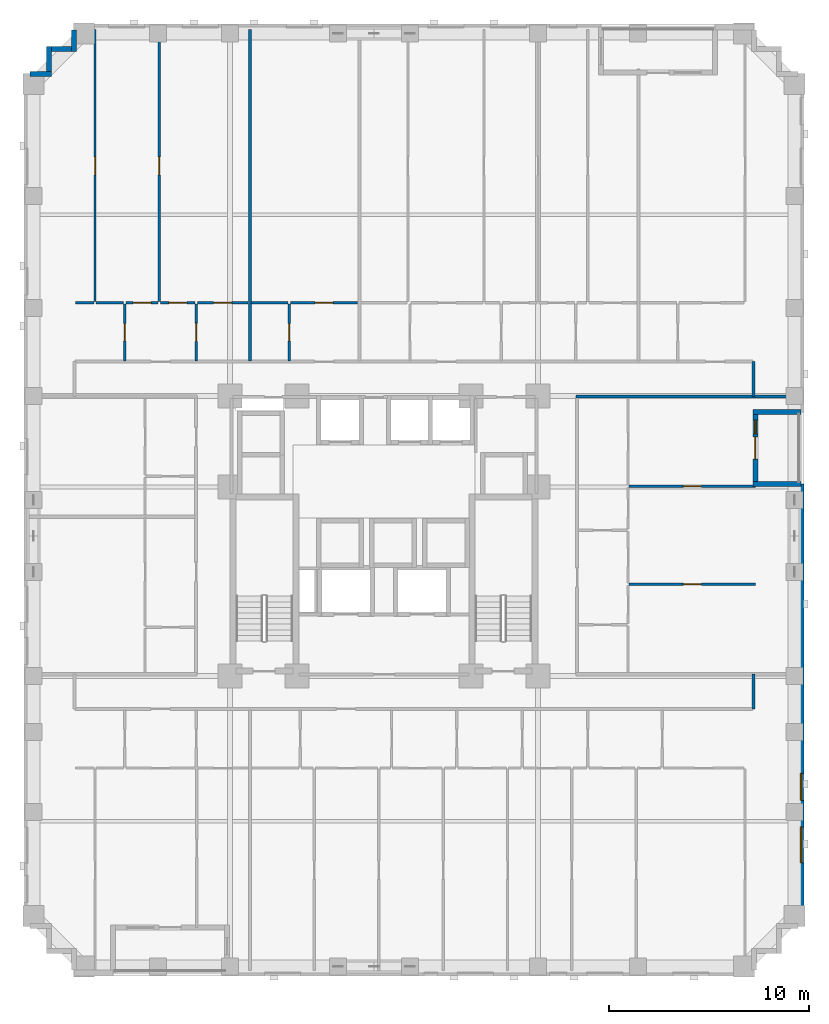
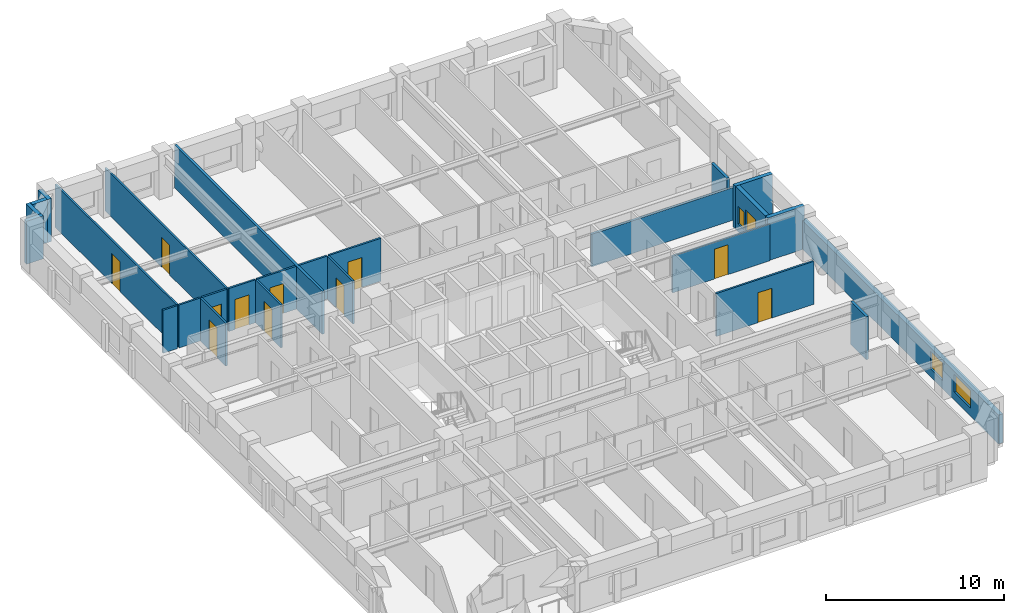
# One storey, part 7 of 14: 26 walls, 12 doors, 3 windows, 15 openings.
"""IFC4 building model written with IfcOpenShell, lengths in metres."""

from ifc_helpers import new_model, si_unit, derived_unit, direction, frame, frame_2d, origin, place, context, subcontext, project, spatial, rectangle, extrude, material, layer, layer_set, type_object, element, fill, save


model = new_model("IFC4")

# Units and contexts
model_context = context("Model", 3, precision=1e-05, world=origin(), true_north=direction((0.0, 1.0)))
body_context = subcontext(model_context, "Body", "Model", "MODEL_VIEW")
ifc_project = project(units=[si_unit("LENGTHUNIT", "METRE"), si_unit("AREAUNIT", "SQUARE_METRE"), si_unit("VOLUMEUNIT", "CUBIC_METRE"), si_unit("PLANEANGLEUNIT", "RADIAN"), si_unit("MASSUNIT", "GRAM", prefix="KILO"), derived_unit("THERMALTRANSMITTANCEUNIT", [(si_unit("MASSUNIT", "GRAM", prefix="KILO"), 1), (si_unit("TIMEUNIT", "SECOND"), -3), (si_unit("THERMODYNAMICTEMPERATUREUNIT", "KELVIN"), -1)])], contexts=[model_context])

# Site, building, storey
site_placement = place(None, origin())
site = spatial("IfcSite", under=ifc_project, at=site_placement, CompositionType="ELEMENT")
building_placement = place(site_placement, origin())
building = spatial("IfcBuilding", under=site, at=building_placement, Name="Korrvale Station Residences", CompositionType="ELEMENT")
storey_placement = place(building_placement, frame((0.0, 0.0, 64.199951171875)))
storey = spatial("IfcBuildingStorey", under=building, at=storey_placement, Name="L17", CompositionType="ELEMENT", Elevation=64.199951171875)

# Wall
ifc_material_1 = material(Name="Precast concrete C45/55", Category="concrete")
ifc_layer_1 = layer(ifc_material_1, 0.260009765625, Name="Precast concrete C45/55")
ifc_layer_set_1 = layer_set([ifc_layer_1], Name="Precast concrete C45/55")
wall_type_1 = type_object("IfcWallType", Name="WAL-EXT-LOG260", PredefinedType="SOLIDWALL", material=ifc_layer_set_1)
wall_1_placement = place(storey_placement, frame((46.340087890625, 28.199951171875, 0.0), z_axis=(0.0, 0.0, 1.0), x_axis=(-1.0, 0.0, 0.0)))
element("IfcWall", 1, at=wall_1_placement, inside=storey, type_object=wall_type_1, Name="L17 Recessed Loggia Wall BAL-L17-E1-L", PredefinedType="SOLIDWALL", context=body_context, shape_type="SweptSolid", body=[
    extrude(rectangle(XDim=2.400146484375, YDim=0.260009765625, at=frame_2d((1.2001953125, 0.0))), origin(), (0.0, 0.0, 1.0), 2.93994140625),
])

# Wall, openings, door, window
wall_2_placement = place(storey_placement, frame((44.070068359375, 28.06591796875, 0.0), z_axis=(0.0, 0.0, 1.0), x_axis=(0.0, -1.0, 0.0)))
wall_2 = element("IfcWall", 2, at=wall_2_placement, inside=storey, type_object=wall_type_1, Name="L17 Recessed Loggia Wall BAL-L17-E1-B", PredefinedType="SOLIDWALL", context=body_context, shape_type="SweptSolid", body=[
    extrude(rectangle(XDim=3.33203125, YDim=0.260009765625, at=frame_2d((1.666015625, 0.0))), origin(), (0.0, 0.0, 1.0), 2.93994140625),
])
opening_1_placement = place(wall_2_placement, frame((1.115966796875, 0.0, 0.0)))
opening_1 = element("IfcOpeningElement", 3, at=opening_1_placement, cuts=wall_2, Name="Opening BD-01", PredefinedType="OPENING", context=body_context, shape_type="SweptSolid", body=[
    extrude(rectangle(XDim=1.10009765625, YDim=2.0, at=frame_2d((0.550048828125, 1.0))), frame((0.0, 0.14013671875, 0.0), z_axis=(0.0, -1.0, 0.0), x_axis=(1.0, 0.0, 0.0)), (0.0, 0.0, 1.0), 0.280029296875),
])
opening_2_placement = place(wall_2_placement, frame((0.27587890625, 0.0, 0.550048828125)))
opening_2 = element("IfcOpeningElement", 4, at=opening_2_placement, cuts=wall_2, Name="Opening W-12", PredefinedType="OPENING", context=body_context, shape_type="SweptSolid", body=[
    extrude(rectangle(XDim=0.679931640625, YDim=1.199951171875, at=frame_2d((0.33984375, 0.60009765625))), frame((0.0, 0.14013671875, 0.0), z_axis=(0.0, -1.0, 0.0), x_axis=(1.0, 0.0, 0.0)), (0.0, 0.0, 1.0), 0.280029296875),
])
ifc_material_2 = material(Name="Exterior thermally broken aluminium glazed balcony door", Category="aluminium")
door_type_1 = type_object("IfcDoorType", Name="DR-EXT-BAL", OperationType="NOTDEFINED", PredefinedType="DOOR", material=ifc_material_2)
door_1_placement = place(opening_1_placement, origin())
door_1 = element("IfcDoor", 5, at=door_1_placement, inside=storey, type_object=door_type_1, Name="L17 Loggia Balcony Door BAL-L17-E1", OperationType="SINGLE_SWING_LEFT", OverallHeight=2.0, OverallWidth=1.10009765625, PredefinedType="DOOR", context=body_context, shape_type="SweptSolid", body=[
    extrude(rectangle(XDim=1.10009765625, YDim=2.0, at=frame_2d((0.550048828125, 1.0))), frame((0.0, 0.02490234375, 0.0), z_axis=(0.0, -1.0, 0.0), x_axis=(1.0, 0.0, 0.0)), (0.0, 0.0, 1.0), 0.050048828125),
])
fill(opening_1, door_1)
ifc_material_3 = material(Name="Thermally broken aluminium frame with triple low-e glazing", Category="aluminium")
window_type_1 = type_object("IfcWindowType", Name="WIN-W12", PartitioningType="SINGLE_PANEL", PredefinedType="WINDOW", material=ifc_material_3)
window_1_placement = place(opening_2_placement, origin())
window_1 = element("IfcWindow", 6, at=window_1_placement, inside=storey, type_object=window_type_1, Name="L17 Punched Window 28", OverallHeight=1.199951171875, OverallWidth=0.679931640625, PartitioningType="SINGLE_PANEL", PredefinedType="WINDOW", context=body_context, shape_type="SweptSolid", body=[
    extrude(rectangle(XDim=0.679931640625, YDim=1.199951171875, at=frame_2d((0.33984375, 0.60009765625))), frame((0.0, 0.030029296875, 0.0), z_axis=(0.0, -1.0, 0.0), x_axis=(1.0, 0.0, 0.0)), (0.0, 0.0, 1.0), 0.06005859375),
])
fill(opening_2, window_1)

# Walls
wall_3_placement = place(storey_placement, frame((43.93994140625, 24.60009765625, 0.0), z_axis=(0.0, 0.0, 1.0), x_axis=(1.0, 0.0, 0.0)))
element("IfcWall", 7, at=wall_3_placement, inside=storey, type_object=wall_type_1, Name="L17 Recessed Loggia Wall BAL-L17-E1-R", PredefinedType="SOLIDWALL", context=body_context, shape_type="SweptSolid", body=[
    extrude(rectangle(XDim=2.400146484375, YDim=0.260009765625, at=frame_2d((1.2001953125, 0.0))), origin(), (0.0, 0.0, 1.0), 2.93994140625),
])
wall_4_placement = place(storey_placement, frame((7.802001953125, 45.10009765625, 0.0), z_axis=(0.0, 0.0, 1.0), x_axis=(1.0, 0.0, 0.0)))
element("IfcWall", 8, at=wall_4_placement, inside=storey, type_object=wall_type_1, Name="L17 Serrated Corner Precast Step NW-1", PredefinedType="SOLIDWALL", context=body_context, shape_type="SweptSolid", body=[
    extrude(rectangle(XDim=1.077880859375, YDim=0.260009765625, at=frame_2d((0.5390625, 0.0))), origin(), (0.0, 0.0, 1.0), 2.93994140625),
])
wall_5_placement = place(storey_placement, frame((8.75, 45.23193359375, 0.0), z_axis=(0.0, 0.0, 1.0), x_axis=(0.0, 1.0, 0.0)))
element("IfcWall", 9, at=wall_5_placement, inside=storey, type_object=wall_type_1, Name="L17 Serrated Corner Precast Step NW-2", PredefinedType="SOLIDWALL", context=body_context, shape_type="SweptSolid", body=[
    extrude(rectangle(XDim=1.248046875, YDim=0.260009765625, at=frame_2d((0.6240234375, 0.0))), origin(), (0.0, 0.0, 1.0), 2.93994140625),
])
wall_6_placement = place(storey_placement, frame((8.882080078125, 46.35009765625, 0.0), z_axis=(0.0, 0.0, 1.0), x_axis=(1.0, 0.0, 0.0)))
element("IfcWall", 10, at=wall_6_placement, inside=storey, type_object=wall_type_1, Name="L17 Serrated Corner Precast Step NW-3", PredefinedType="SOLIDWALL", context=body_context, shape_type="SweptSolid", body=[
    extrude(rectangle(XDim=0.98583984375, YDim=0.260009765625, at=frame_2d((0.492919921875, 0.0))), origin(), (0.0, 0.0, 1.0), 2.93994140625),
])
wall_7_placement = place(storey_placement, frame((10.0, 46.219970703125, 0.0), z_axis=(0.0, 0.0, 1.0), x_axis=(0.0, 1.0, 0.0)))
element("IfcWall", 11, at=wall_7_placement, inside=storey, type_object=wall_type_1, Name="L17 Serrated Corner Precast Step NW-4", PredefinedType="SOLIDWALL", context=body_context, shape_type="SweptSolid", body=[
    extrude(rectangle(XDim=1.078125, YDim=0.260009765625, at=frame_2d((0.5390625, 0.0))), origin(), (0.0, 0.0, 1.0), 2.93994140625),
])

# Wall, openings, windows
ifc_layer_2 = layer(ifc_material_1, 0.300048828125, Name="Precast concrete C45/55")
ifc_layer_set_2 = layer_set([ifc_layer_2], Name="Precast concrete C45/55")
wall_type_2 = type_object("IfcWallType", Name="WAL-EXT-PC300", PredefinedType="SOLIDWALL", material=ifc_layer_set_2)
wall_8_placement = place(storey_placement, frame((46.35009765625, 24.60009765625, 0.0), z_axis=(0.0, 0.0, 1.0), x_axis=(0.0, -1.0, 0.0)))
wall_8 = element("IfcWall", 12, at=wall_8_placement, inside=storey, type_object=wall_type_2, Name="L17 East Exterior Precast Wall 2", PredefinedType="SOLIDWALL", context=body_context, shape_type="SweptSolid", body=[
    extrude(rectangle(XDim=22.10009765625, YDim=0.300048828125, at=frame_2d((11.050048828125, 0.0))), origin(), (0.0, 0.0, 1.0), 1.97509765625),
])
opening_3_placement = place(wall_8_placement, frame((17.14111328125, 0.0, 0.550048828125)))
opening_3 = element("IfcOpeningElement", 13, at=opening_3_placement, cuts=wall_8, Name="Opening W-09", PredefinedType="OPENING", context=body_context, shape_type="SweptSolid", body=[
    extrude(rectangle(XDim=1.800048828125, YDim=1.199951171875, at=frame_2d((0.89990234375, 0.60009765625))), frame((0.0, 0.16015625, 0.0), z_axis=(0.0, -1.0, 0.0), x_axis=(1.0, 0.0, 0.0)), (0.0, 0.0, 1.0), 0.320068359375),
])
opening_4_placement = place(wall_8_placement, frame((14.465087890625, 0.0, 0.550048828125)))
opening_4 = element("IfcOpeningElement", 14, at=opening_4_placement, cuts=wall_8, Name="Opening W-10", PredefinedType="OPENING", context=body_context, shape_type="SweptSolid", body=[
    extrude(rectangle(XDim=1.35009765625, YDim=1.199951171875, at=frame_2d((0.675048828125, 0.60009765625))), frame((0.0, 0.16015625, 0.0), z_axis=(0.0, -1.0, 0.0), x_axis=(1.0, 0.0, 0.0)), (0.0, 0.0, 1.0), 0.320068359375),
])
window_type_2 = type_object("IfcWindowType", Name="WIN-W09", PartitioningType="DOUBLE_PANEL_VERTICAL", PredefinedType="WINDOW", material=ifc_material_3)
window_2_placement = place(opening_3_placement, origin())
window_2 = element("IfcWindow", 15, at=window_2_placement, inside=storey, type_object=window_type_2, Name="L17 Punched Window 11", OverallHeight=1.199951171875, OverallWidth=1.800048828125, PartitioningType="DOUBLE_PANEL_VERTICAL", PredefinedType="WINDOW", context=body_context, shape_type="SweptSolid", body=[
    extrude(rectangle(XDim=1.800048828125, YDim=1.199951171875, at=frame_2d((0.89990234375, 0.60009765625))), frame((0.0, 0.030029296875, 0.0), z_axis=(0.0, -1.0, 0.0), x_axis=(1.0, 0.0, 0.0)), (0.0, 0.0, 1.0), 0.06005859375),
])
fill(opening_3, window_2)
window_type_3 = type_object("IfcWindowType", Name="WIN-W10", PartitioningType="SINGLE_PANEL", PredefinedType="WINDOW", material=ifc_material_3)
window_3_placement = place(opening_4_placement, origin())
window_3 = element("IfcWindow", 16, at=window_3_placement, inside=storey, type_object=window_type_3, Name="L17 Punched Window 12", OverallHeight=1.199951171875, OverallWidth=1.35009765625, PartitioningType="SINGLE_PANEL", PredefinedType="WINDOW", context=body_context, shape_type="SweptSolid", body=[
    extrude(rectangle(XDim=1.35009765625, YDim=1.199951171875, at=frame_2d((0.675048828125, 0.60009765625))), frame((0.0, 0.030029296875, 0.0), z_axis=(0.0, -1.0, 0.0), x_axis=(1.0, 0.0, 0.0)), (0.0, 0.0, 1.0), 0.06005859375),
])
fill(opening_4, window_3)

# Wall, opening, door
ifc_material_4 = material(Name="Acoustic steel-stud gypsum board partition", Category="steel")
ifc_layer_3 = layer(ifc_material_4, 0.1201171875, Name="Acoustic steel-stud gypsum board partition")
ifc_layer_set_3 = layer_set([ifc_layer_3], Name="Acoustic steel-stud gypsum board partition")
wall_type_3 = type_object("IfcWallType", Name="WAL-PART-125", PredefinedType="PARTITIONING", material=ifc_layer_set_3)
wall_9_placement = place(storey_placement, frame((12.5400390625, 30.760009765625, 0.0), z_axis=(0.0, 0.0, 1.0), x_axis=(0.0, 1.0, 0.0)))
wall_9 = element("IfcWall", 17, at=wall_9_placement, inside=storey, type_object=wall_type_3, Name="L17 Suite Partition U03-V01", PredefinedType="PARTITIONING", context=body_context, shape_type="SweptSolid", body=[
    extrude(rectangle(XDim=2.85009765625, YDim=0.1201171875, at=frame_2d((1.425048828125, 0.0))), origin(), (0.0, 0.0, 1.0), 2.93994140625),
])
opening_5_placement = place(wall_9_placement, frame((0.9951171875, 0.0, 0.0)))
opening_5 = element("IfcOpeningElement", 18, at=opening_5_placement, cuts=wall_9, Name="Opening DB-860", PredefinedType="OPENING", context=body_context, shape_type="SweptSolid", body=[
    extrude(rectangle(XDim=0.860107421875, YDim=2.050048828125, at=frame_2d((0.43017578125, 1.02490234375))), frame((0.0, 0.070068359375, 0.0), z_axis=(0.0, -1.0, 0.0), x_axis=(1.0, 0.0, 0.0)), (0.0, 0.0, 1.0), 0.14013671875),
])
ifc_material_5 = material(Name="Moisture-resistant solid-core bathroom door", Category="timber")
door_type_2 = type_object("IfcDoorType", Name="DR-BATH-860", OperationType="NOTDEFINED", PredefinedType="DOOR", material=ifc_material_5)
door_2_placement = place(opening_5_placement, origin())
door_2 = element("IfcDoor", 19, at=door_2_placement, inside=storey, type_object=door_type_2, Name="L17 Studio Apartment L17-U03 Bathroom Door", OperationType="SINGLE_SWING_RIGHT", OverallHeight=2.050048828125, OverallWidth=0.860107421875, PredefinedType="DOOR", context=body_context, shape_type="SweptSolid", body=[
    extrude(rectangle(XDim=0.860107421875, YDim=2.050048828125, at=frame_2d((0.43017578125, 1.02490234375))), frame((0.0, 0.02490234375, 0.0), z_axis=(0.0, -1.0, 0.0), x_axis=(1.0, 0.0, 0.0)), (0.0, 0.0, 1.0), 0.050048828125),
])
fill(opening_5, door_2)

# Walls
wall_10_placement = place(storey_placement, frame((10.080078125, 33.669921875, 0.0), z_axis=(0.0, 0.0, 1.0), x_axis=(1.0, 0.0, 0.0)))
element("IfcWall", 20, at=wall_10_placement, inside=storey, type_object=wall_type_3, Name="L17 Suite Partition U03-H03", PredefinedType="PARTITIONING", context=body_context, shape_type="SweptSolid", body=[
    extrude(rectangle(XDim=0.909912109375, YDim=0.1201171875, at=frame_2d((0.455078125, 0.0))), origin(), (0.0, 0.0, 1.0), 2.93994140625),
])
wall_11_placement = place(storey_placement, frame((11.110107421875, 33.669921875, 0.0), z_axis=(0.0, 0.0, 1.0), x_axis=(1.0, 0.0, 0.0)))
element("IfcWall", 21, at=wall_11_placement, inside=storey, type_object=wall_type_3, Name="L17 Suite Partition U03-H04", PredefinedType="PARTITIONING", context=body_context, shape_type="SweptSolid", body=[
    extrude(rectangle(XDim=1.369873046875, YDim=0.1201171875, at=frame_2d((0.68505859375, 0.0))), origin(), (0.0, 0.0, 1.0), 2.93994140625),
])

# Wall, opening, door
wall_12_placement = place(storey_placement, frame((16.110107421875, 30.760009765625, 0.0), z_axis=(0.0, 0.0, 1.0), x_axis=(0.0, 1.0, 0.0)))
wall_12 = element("IfcWall", 22, at=wall_12_placement, inside=storey, type_object=wall_type_3, Name="L17 Suite Partition U03-V12", PredefinedType="PARTITIONING", context=body_context, shape_type="SweptSolid", body=[
    extrude(rectangle(XDim=2.85009765625, YDim=0.1201171875, at=frame_2d((1.425048828125, 0.0))), origin(), (0.0, 0.0, 1.0), 2.93994140625),
])
opening_6_placement = place(wall_12_placement, frame((0.97509765625, 0.0, 0.0)))
opening_6 = element("IfcOpeningElement", 23, at=opening_6_placement, cuts=wall_12, Name="Opening DI-900", PredefinedType="OPENING", context=body_context, shape_type="SweptSolid", body=[
    extrude(rectangle(XDim=0.89990234375, YDim=2.050048828125, at=frame_2d((0.449951171875, 1.02490234375))), frame((0.0, 0.070068359375, 0.0), z_axis=(0.0, -1.0, 0.0), x_axis=(1.0, 0.0, 0.0)), (0.0, 0.0, 1.0), 0.14013671875),
])
ifc_material_6 = material(Name="Painted solid-core timber interior room door", Category="wood")
door_type_3 = type_object("IfcDoorType", Name="DR-INT-900", OperationType="NOTDEFINED", PredefinedType="DOOR", material=ifc_material_6)
door_3_placement = place(opening_6_placement, origin())
door_3 = element("IfcDoor", 24, at=door_3_placement, inside=storey, type_object=door_type_3, Name="L17 Studio Apartment L17-U03 Kitchen Door", OperationType="SINGLE_SWING_LEFT", OverallHeight=2.050048828125, OverallWidth=0.89990234375, PredefinedType="DOOR", context=body_context, shape_type="SweptSolid", body=[
    extrude(rectangle(XDim=0.89990234375, YDim=2.050048828125, at=frame_2d((0.449951171875, 1.02490234375))), frame((0.0, 0.02490234375, 0.0), z_axis=(0.0, -1.0, 0.0), x_axis=(1.0, 0.0, 0.0)), (0.0, 0.0, 1.0), 0.050048828125),
])
fill(opening_6, door_3)

wall_13_placement = place(storey_placement, frame((12.60009765625, 33.669921875, 0.0), z_axis=(0.0, 0.0, 1.0), x_axis=(1.0, 0.0, 0.0)))
wall_13 = element("IfcWall", 25, at=wall_13_placement, inside=storey, type_object=wall_type_3, Name="L17 Suite Partition U03-H14", PredefinedType="PARTITIONING", context=body_context, shape_type="SweptSolid", body=[
    extrude(rectangle(XDim=1.60986328125, YDim=0.1201171875, at=frame_2d((0.804931640625, 0.0))), origin(), (0.0, 0.0, 1.0), 2.93994140625),
])
opening_7_placement = place(wall_13_placement, frame((0.35498046875, 0.0, 0.0)))
opening_7 = element("IfcOpeningElement", 26, at=opening_7_placement, cuts=wall_13, Name="Opening DI-900", PredefinedType="OPENING", context=body_context, shape_type="SweptSolid", body=[
    extrude(rectangle(XDim=0.89990234375, YDim=2.050048828125, at=frame_2d((0.449951171875, 1.02490234375))), frame((0.0, 0.070068359375, 0.0), z_axis=(0.0, -1.0, 0.0), x_axis=(1.0, 0.0, 0.0)), (0.0, 0.0, 1.0), 0.14013671875),
])
door_4_placement = place(opening_7_placement, origin())
door_4 = element("IfcDoor", 27, at=door_4_placement, inside=storey, type_object=door_type_3, Name="L17 Studio Apartment L17-U03 Kitchen Door", OperationType="SINGLE_SWING_RIGHT", OverallHeight=2.050048828125, OverallWidth=0.89990234375, PredefinedType="DOOR", context=body_context, shape_type="SweptSolid", body=[
    extrude(rectangle(XDim=0.89990234375, YDim=2.050048828125, at=frame_2d((0.449951171875, 1.02490234375))), frame((0.0, 0.02490234375, 0.0), z_axis=(0.0, -1.0, 0.0), x_axis=(1.0, 0.0, 0.0)), (0.0, 0.0, 1.0), 0.050048828125),
])
fill(opening_7, door_4)

wall_14_placement = place(storey_placement, frame((14.330078125, 33.669921875, 0.0), z_axis=(0.0, 0.0, 1.0), x_axis=(1.0, 0.0, 0.0)))
wall_14 = element("IfcWall", 28, at=wall_14_placement, inside=storey, type_object=wall_type_3, Name="L17 Suite Partition U03-H15", PredefinedType="PARTITIONING", context=body_context, shape_type="SweptSolid", body=[
    extrude(rectangle(XDim=1.719970703125, YDim=0.1201171875, at=frame_2d((0.85986328125, 0.0))), origin(), (0.0, 0.0, 1.0), 2.93994140625),
])
opening_8_placement = place(wall_14_placement, frame((0.409912109375, 0.0, 0.0)))
opening_8 = element("IfcOpeningElement", 29, at=opening_8_placement, cuts=wall_14, Name="Opening DI-900", PredefinedType="OPENING", context=body_context, shape_type="SweptSolid", body=[
    extrude(rectangle(XDim=0.89990234375, YDim=2.050048828125, at=frame_2d((0.449951171875, 1.02490234375))), frame((0.0, 0.070068359375, 0.0), z_axis=(0.0, -1.0, 0.0), x_axis=(1.0, 0.0, 0.0)), (0.0, 0.0, 1.0), 0.14013671875),
])
door_5_placement = place(opening_8_placement, origin())
door_5 = element("IfcDoor", 30, at=door_5_placement, inside=storey, type_object=door_type_3, Name="L17 Studio Apartment L17-U03 Kitchen Door", OperationType="SINGLE_SWING_LEFT", OverallHeight=2.050048828125, OverallWidth=0.89990234375, PredefinedType="DOOR", context=body_context, shape_type="SweptSolid", body=[
    extrude(rectangle(XDim=0.89990234375, YDim=2.050048828125, at=frame_2d((0.449951171875, 1.02490234375))), frame((0.0, 0.02490234375, 0.0), z_axis=(0.0, -1.0, 0.0), x_axis=(1.0, 0.0, 0.0)), (0.0, 0.0, 1.0), 0.050048828125),
])
fill(opening_8, door_5)

wall_15_placement = place(storey_placement, frame((16.169921875, 33.669921875, 0.0), z_axis=(0.0, 0.0, 1.0), x_axis=(1.0, 0.0, 0.0)))
wall_15 = element("IfcWall", 31, at=wall_15_placement, inside=storey, type_object=wall_type_3, Name="L17 Suite Partition U03-H25", PredefinedType="PARTITIONING", context=body_context, shape_type="SweptSolid", body=[
    extrude(rectangle(XDim=2.526123046875, YDim=0.1201171875, at=frame_2d((1.26318359375, 0.0))), origin(), (0.0, 0.0, 1.0), 2.93994140625),
])
opening_9_placement = place(wall_15_placement, frame((0.81298828125, 0.0, 0.0)))
opening_9 = element("IfcOpeningElement", 32, at=opening_9_placement, cuts=wall_15, Name="Opening DI-900", PredefinedType="OPENING", context=body_context, shape_type="SweptSolid", body=[
    extrude(rectangle(XDim=0.89990234375, YDim=2.050048828125, at=frame_2d((0.449951171875, 1.02490234375))), frame((0.0, 0.070068359375, 0.0), z_axis=(0.0, -1.0, 0.0), x_axis=(1.0, 0.0, 0.0)), (0.0, 0.0, 1.0), 0.14013671875),
])
door_6_placement = place(opening_9_placement, origin())
door_6 = element("IfcDoor", 33, at=door_6_placement, inside=storey, type_object=door_type_3, Name="L17 Studio Apartment L17-U03 Utility and Laundry Room Door", OperationType="SINGLE_SWING_RIGHT", OverallHeight=2.050048828125, OverallWidth=0.89990234375, PredefinedType="DOOR", context=body_context, shape_type="SweptSolid", body=[
    extrude(rectangle(XDim=0.89990234375, YDim=2.050048828125, at=frame_2d((0.449951171875, 1.02490234375))), frame((0.0, 0.02490234375, 0.0), z_axis=(0.0, -1.0, 0.0), x_axis=(1.0, 0.0, 0.0)), (0.0, 0.0, 1.0), 0.050048828125),
])
fill(opening_9, door_6)

wall_16_placement = place(storey_placement, frame((11.050048828125, 33.72998046875, 0.0), z_axis=(0.0, 0.0, 1.0), x_axis=(0.0, 1.0, 0.0)))
wall_16 = element("IfcWall", 34, at=wall_16_placement, inside=storey, type_object=wall_type_3, Name="L17 Suite Partition U03-V34", PredefinedType="PARTITIONING", context=body_context, shape_type="SweptSolid", body=[
    extrude(rectangle(XDim=13.590087890625, YDim=0.1201171875, at=frame_2d((6.794921875, 0.0))), origin(), (0.0, 0.0, 1.0), 2.93994140625),
])
opening_10_placement = place(wall_16_placement, frame((6.330078125, 0.0, 0.0)))
opening_10 = element("IfcOpeningElement", 35, at=opening_10_placement, cuts=wall_16, Name="Opening DI-900", PredefinedType="OPENING", context=body_context, shape_type="SweptSolid", body=[
    extrude(rectangle(XDim=0.89990234375, YDim=2.050048828125, at=frame_2d((0.449951171875, 1.02490234375))), frame((0.0, 0.070068359375, 0.0), z_axis=(0.0, -1.0, 0.0), x_axis=(1.0, 0.0, 0.0)), (0.0, 0.0, 1.0), 0.14013671875),
])
door_7_placement = place(opening_10_placement, origin())
door_7 = element("IfcDoor", 36, at=door_7_placement, inside=storey, type_object=door_type_3, Name="L17 Studio Apartment L17-U03 Walk-In Wardrobe Door", OperationType="SINGLE_SWING_LEFT", OverallHeight=2.050048828125, OverallWidth=0.89990234375, PredefinedType="DOOR", context=body_context, shape_type="SweptSolid", body=[
    extrude(rectangle(XDim=0.89990234375, YDim=2.050048828125, at=frame_2d((0.449951171875, 1.02490234375))), frame((0.0, 0.02490234375, 0.0), z_axis=(0.0, -1.0, 0.0), x_axis=(1.0, 0.0, 0.0)), (0.0, 0.0, 1.0), 0.050048828125),
])
fill(opening_10, door_7)

wall_17_placement = place(storey_placement, frame((14.27001953125, 33.72998046875, 0.0), z_axis=(0.0, 0.0, 1.0), x_axis=(0.0, 1.0, 0.0)))
wall_17 = element("IfcWall", 37, at=wall_17_placement, inside=storey, type_object=wall_type_3, Name="L17 Suite Partition U03-V45", PredefinedType="PARTITIONING", context=body_context, shape_type="SweptSolid", body=[
    extrude(rectangle(XDim=13.590087890625, YDim=0.1201171875, at=frame_2d((6.794921875, 0.0))), origin(), (0.0, 0.0, 1.0), 2.93994140625),
])
opening_11_placement = place(wall_17_placement, frame((6.330078125, 0.0, 0.0)))
opening_11 = element("IfcOpeningElement", 38, at=opening_11_placement, cuts=wall_17, Name="Opening DI-900", PredefinedType="OPENING", context=body_context, shape_type="SweptSolid", body=[
    extrude(rectangle(XDim=0.89990234375, YDim=2.050048828125, at=frame_2d((0.449951171875, 1.02490234375))), frame((0.0, 0.070068359375, 0.0), z_axis=(0.0, -1.0, 0.0), x_axis=(1.0, 0.0, 0.0)), (0.0, 0.0, 1.0), 0.14013671875),
])
door_8_placement = place(opening_11_placement, origin())
door_8 = element("IfcDoor", 39, at=door_8_placement, inside=storey, type_object=door_type_3, Name="L17 Studio Apartment L17-U03 Walk-In Wardrobe Door", OperationType="SINGLE_SWING_RIGHT", OverallHeight=2.050048828125, OverallWidth=0.89990234375, PredefinedType="DOOR", context=body_context, shape_type="SweptSolid", body=[
    extrude(rectangle(XDim=0.89990234375, YDim=2.050048828125, at=frame_2d((0.449951171875, 1.02490234375))), frame((0.0, 0.02490234375, 0.0), z_axis=(0.0, -1.0, 0.0), x_axis=(1.0, 0.0, 0.0)), (0.0, 0.0, 1.0), 0.050048828125),
])
fill(opening_11, door_8)

wall_18_placement = place(storey_placement, frame((20.76611328125, 30.760009765625, 0.0), z_axis=(0.0, 0.0, 1.0), x_axis=(0.0, 1.0, 0.0)))
wall_18 = element("IfcWall", 40, at=wall_18_placement, inside=storey, type_object=wall_type_3, Name="L17 Suite Partition U04-V01", PredefinedType="PARTITIONING", context=body_context, shape_type="SweptSolid", body=[
    extrude(rectangle(XDim=2.85009765625, YDim=0.1201171875, at=frame_2d((1.425048828125, 0.0))), origin(), (0.0, 0.0, 1.0), 2.93994140625),
])
opening_12_placement = place(wall_18_placement, frame((0.9951171875, 0.0, 0.0)))
opening_12 = element("IfcOpeningElement", 41, at=opening_12_placement, cuts=wall_18, Name="Opening DB-860", PredefinedType="OPENING", context=body_context, shape_type="SweptSolid", body=[
    extrude(rectangle(XDim=0.860107421875, YDim=2.050048828125, at=frame_2d((0.43017578125, 1.02490234375))), frame((0.0, 0.070068359375, 0.0), z_axis=(0.0, -1.0, 0.0), x_axis=(1.0, 0.0, 0.0)), (0.0, 0.0, 1.0), 0.14013671875),
])
door_9_placement = place(opening_12_placement, origin())
door_9 = element("IfcDoor", 42, at=door_9_placement, inside=storey, type_object=door_type_2, Name="L17 Studio Apartment L17-U04 Bathroom Door", OperationType="SINGLE_SWING_LEFT", OverallHeight=2.050048828125, OverallWidth=0.860107421875, PredefinedType="DOOR", context=body_context, shape_type="SweptSolid", body=[
    extrude(rectangle(XDim=0.860107421875, YDim=2.050048828125, at=frame_2d((0.43017578125, 1.02490234375))), frame((0.0, 0.02490234375, 0.0), z_axis=(0.0, -1.0, 0.0), x_axis=(1.0, 0.0, 0.0)), (0.0, 0.0, 1.0), 0.050048828125),
])
fill(opening_12, door_9)

# Wall
wall_19_placement = place(storey_placement, frame((18.85595703125, 33.669921875, 0.0), z_axis=(0.0, 0.0, 1.0), x_axis=(1.0, 0.0, 0.0)))
element("IfcWall", 43, at=wall_19_placement, inside=storey, type_object=wall_type_3, Name="L17 Suite Partition U04-H02", PredefinedType="PARTITIONING", context=body_context, shape_type="SweptSolid", body=[
    extrude(rectangle(XDim=1.85009765625, YDim=0.1201171875, at=frame_2d((0.925048828125, 0.0))), origin(), (0.0, 0.0, 1.0), 2.93994140625),
])

# Wall, opening, door
wall_20_placement = place(storey_placement, frame((20.825927734375, 33.669921875, 0.0), z_axis=(0.0, 0.0, 1.0), x_axis=(1.0, 0.0, 0.0)))
wall_20 = element("IfcWall", 44, at=wall_20_placement, inside=storey, type_object=wall_type_3, Name="L17 Suite Partition U04-H12", PredefinedType="PARTITIONING", context=body_context, shape_type="SweptSolid", body=[
    extrude(rectangle(XDim=3.35302734375, YDim=0.1201171875, at=frame_2d((1.676513671875, 0.0))), origin(), (0.0, 0.0, 1.0), 2.93994140625),
])
opening_13_placement = place(wall_20_placement, frame((1.22607421875, 0.0, 0.0)))
opening_13 = element("IfcOpeningElement", 45, at=opening_13_placement, cuts=wall_20, Name="Opening DI-900", PredefinedType="OPENING", context=body_context, shape_type="SweptSolid", body=[
    extrude(rectangle(XDim=0.89990234375, YDim=2.050048828125, at=frame_2d((0.449951171875, 1.02490234375))), frame((0.0, 0.070068359375, 0.0), z_axis=(0.0, -1.0, 0.0), x_axis=(1.0, 0.0, 0.0)), (0.0, 0.0, 1.0), 0.14013671875),
])
door_10_placement = place(opening_13_placement, origin())
door_10 = element("IfcDoor", 46, at=door_10_placement, inside=storey, type_object=door_type_3, Name="L17 Studio Apartment L17-U04 Kitchen Door", OperationType="SINGLE_SWING_RIGHT", OverallHeight=2.050048828125, OverallWidth=0.89990234375, PredefinedType="DOOR", context=body_context, shape_type="SweptSolid", body=[
    extrude(rectangle(XDim=0.89990234375, YDim=2.050048828125, at=frame_2d((0.449951171875, 1.02490234375))), frame((0.0, 0.02490234375, 0.0), z_axis=(0.0, -1.0, 0.0), x_axis=(1.0, 0.0, 0.0)), (0.0, 0.0, 1.0), 0.050048828125),
])
fill(opening_13, door_10)

wall_21_placement = place(storey_placement, frame((37.760009765625, 19.577880859375, 0.0), z_axis=(0.0, 0.0, 1.0), x_axis=(1.0, 0.0, 0.0)))
wall_21 = element("IfcWall", 47, at=wall_21_placement, inside=storey, type_object=wall_type_3, Name="L17 Suite Partition U09-H34", PredefinedType="PARTITIONING", context=body_context, shape_type="SweptSolid", body=[
    extrude(rectangle(XDim=6.31005859375, YDim=0.1201171875, at=frame_2d((3.155029296875, 0.0))), origin(), (0.0, 0.0, 1.0), 2.93994140625),
])
opening_14_placement = place(wall_21_placement, frame((2.705078125, 0.0, 0.0)))
opening_14 = element("IfcOpeningElement", 48, at=opening_14_placement, cuts=wall_21, Name="Opening DI-900", PredefinedType="OPENING", context=body_context, shape_type="SweptSolid", body=[
    extrude(rectangle(XDim=0.89990234375, YDim=2.050048828125, at=frame_2d((0.449951171875, 1.02490234375))), frame((0.0, 0.070068359375, 0.0), z_axis=(0.0, -1.0, 0.0), x_axis=(1.0, 0.0, 0.0)), (0.0, 0.0, 1.0), 0.14013671875),
])
door_11_placement = place(opening_14_placement, origin())
door_11 = element("IfcDoor", 49, at=door_11_placement, inside=storey, type_object=door_type_3, Name="L17 Apartment 2BR L17-U09 Bedroom 1 Door", OperationType="SINGLE_SWING_LEFT", OverallHeight=2.050048828125, OverallWidth=0.89990234375, PredefinedType="DOOR", context=body_context, shape_type="SweptSolid", body=[
    extrude(rectangle(XDim=0.89990234375, YDim=2.050048828125, at=frame_2d((0.449951171875, 1.02490234375))), frame((0.0, 0.02490234375, 0.0), z_axis=(0.0, -1.0, 0.0), x_axis=(1.0, 0.0, 0.0)), (0.0, 0.0, 1.0), 0.050048828125),
])
fill(opening_14, door_11)

wall_22_placement = place(storey_placement, frame((37.760009765625, 24.491943359375, 0.0), z_axis=(0.0, 0.0, 1.0), x_axis=(1.0, 0.0, 0.0)))
wall_22 = element("IfcWall", 50, at=wall_22_placement, inside=storey, type_object=wall_type_3, Name="L17 Suite Partition U09-H45", PredefinedType="PARTITIONING", context=body_context, shape_type="SweptSolid", body=[
    extrude(rectangle(XDim=6.31005859375, YDim=0.1201171875, at=frame_2d((3.155029296875, 0.0))), origin(), (0.0, 0.0, 1.0), 2.508056640625),
])
opening_15_placement = place(wall_22_placement, frame((2.705078125, 0.0, 0.0)))
opening_15 = element("IfcOpeningElement", 51, at=opening_15_placement, cuts=wall_22, Name="Opening DI-900", PredefinedType="OPENING", context=body_context, shape_type="SweptSolid", body=[
    extrude(rectangle(XDim=0.89990234375, YDim=2.050048828125, at=frame_2d((0.449951171875, 1.02490234375))), frame((0.0, 0.070068359375, 0.0), z_axis=(0.0, -1.0, 0.0), x_axis=(1.0, 0.0, 0.0)), (0.0, 0.0, 1.0), 0.14013671875),
])
door_12_placement = place(opening_15_placement, origin())
door_12 = element("IfcDoor", 52, at=door_12_placement, inside=storey, type_object=door_type_3, Name="L17 Apartment 2BR L17-U09 Living and Dining Room Door", OperationType="SINGLE_SWING_RIGHT", OverallHeight=2.050048828125, OverallWidth=0.89990234375, PredefinedType="DOOR", context=body_context, shape_type="SweptSolid", body=[
    extrude(rectangle(XDim=0.89990234375, YDim=2.050048828125, at=frame_2d((0.449951171875, 1.02490234375))), frame((0.0, 0.02490234375, 0.0), z_axis=(0.0, -1.0, 0.0), x_axis=(1.0, 0.0, 0.0)), (0.0, 0.0, 1.0), 0.050048828125),
])
fill(opening_15, door_12)

# Walls
ifc_material_7 = material(Name="Fire-rated twin-stud gypsum and mineral wool shaftwall assembly", Category="gypsum")
ifc_layer_4 = layer(ifc_material_7, 0.159912109375, Name="Fire-rated twin-stud gypsum and mineral wool shaftwall assembly")
ifc_layer_set_4 = layer_set([ifc_layer_4], Name="Fire-rated twin-stud gypsum and mineral wool shaftwall assembly")
wall_type_4 = type_object("IfcWallType", Name="WAL-PART-200", PredefinedType="PARTITIONING", material=ifc_layer_set_4)
for number, where, z_axis, x_axis, name in (
    (53, (43.97998046875, 13.35009765625, 0.0), (0.0, 0.0, 1.0), (0.0, 1.0, 0.0), "L17 Corridor South East Cap"),
    (54, (43.97998046875, 28.97998046875, 0.0), (0.0, 0.0, 1.0), (0.0, 1.0, 0.0), "L17 Corridor North East Cap"),
):
    element("IfcWall", number, at=place(storey_placement, frame(where, z_axis=z_axis, x_axis=x_axis)), inside=storey, type_object=wall_type_4, Name=name, PredefinedType="PARTITIONING", context=body_context, shape_type="SweptSolid", body=[
        extrude(rectangle(XDim=1.739990234375, YDim=0.159912109375, at=frame_2d((0.8701171875, 0.0))), origin(), (0.0, 0.0, 1.0), 2.93994140625),
    ])
wall_23_placement = place(storey_placement, frame((35.110107421875, 28.97998046875, 0.0), z_axis=(0.0, 0.0, 1.0), x_axis=(1.0, 0.0, 0.0)))
element("IfcWall", 55, at=wall_23_placement, inside=storey, type_object=wall_type_4, Name="L17 East Wing North Corridor Wall", PredefinedType="PARTITIONING", context=body_context, shape_type="SweptSolid", body=[
    extrude(rectangle(XDim=11.10986328125, YDim=0.159912109375, at=frame_2d((5.554931640625, 0.0))), origin(), (0.0, 0.0, 1.0), 2.23193359375),
])
wall_24_placement = place(storey_placement, frame((18.7958984375, 30.760009765625, 0.0), z_axis=(0.0, 0.0, 1.0), x_axis=(0.0, 1.0, 0.0)))
element("IfcWall", 56, at=wall_24_placement, inside=storey, type_object=wall_type_4, Name="L17 Demising Wall U04-W", PredefinedType="PARTITIONING", context=body_context, shape_type="SweptSolid", body=[
    extrude(rectangle(XDim=16.56005859375, YDim=0.159912109375, at=frame_2d((8.280029296875, 0.0))), origin(), (0.0, 0.0, 1.0), 2.93994140625),
])

save(model, "model.ifc")
